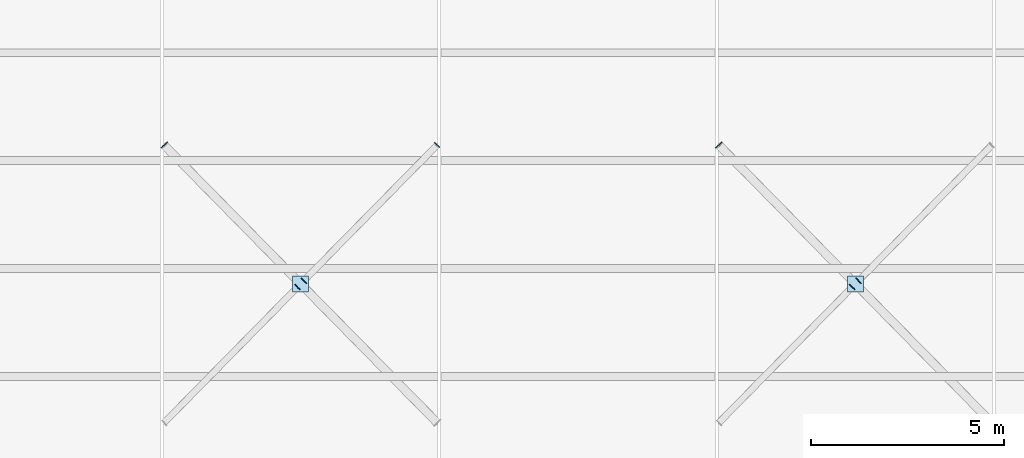
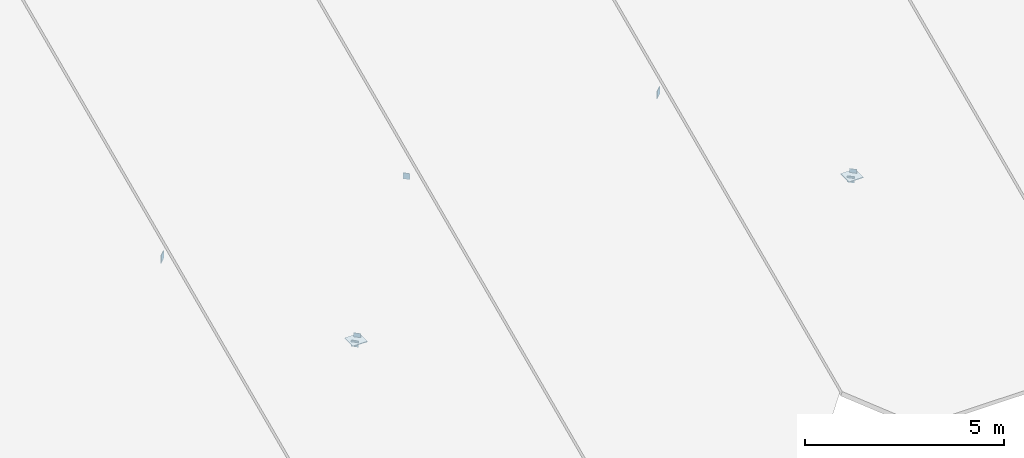
# One storey, part 34 of 54: 9 plates.
"""IFC4 building model written with IfcOpenShell, lengths in metres."""

from ifc_helpers import new_model, si_unit, direction, frame, origin, origin_2d, place, context, subcontext, project, spatial, rectangle, extrude, material, layer, layer_set, type_object, element, save


model = new_model("IFC4")

# Units and contexts
model_context = context("Model", 3, precision=1e-05, world=origin(), true_north=direction((0.0, 1.0)))
body_context = subcontext(model_context, "Body", "Model", "MODEL_VIEW")
ifc_project = project(units=[si_unit("LENGTHUNIT", "METRE"), si_unit("AREAUNIT", "SQUARE_METRE"), si_unit("VOLUMEUNIT", "CUBIC_METRE"), si_unit("PLANEANGLEUNIT", "RADIAN"), si_unit("MASSUNIT", "GRAM", prefix="KILO")], contexts=[model_context])

# Site, building, storey
site_placement = place(None, origin())
site = spatial("IfcSite", under=ifc_project, at=site_placement, CompositionType="ELEMENT")
building_placement = place(site_placement, origin())
building = spatial("IfcBuilding", under=site, at=building_placement, Name="Koriwan Promenade Central Fire Station", CompositionType="ELEMENT")
storey_placement = place(building_placement, frame((0.0, 0.0, 9.60009765625)))
storey = spatial("IfcBuildingStorey", under=building, at=storey_placement, Name="L02", CompositionType="ELEMENT", Elevation=9.60009765625)

# Plates
ifc_material = material(Name="Steel ASTM A572 Grade 50", Category="steel")
ifc_layer_1 = layer(ifc_material, 0.01611328125, Name="Steel ASTM A572 Grade 50")
ifc_layer_set_1 = layer_set([ifc_layer_1], Name="Steel ASTM A572 Grade 50")
plate_type_1 = type_object("IfcPlateType", Name="EndCap_CHS168", PredefinedType="SHEET", material=ifc_layer_set_1)
for number, where, z_axis, x_axis, name in (
    (1, (68.318359375, 50.31689453125, 2.450439453125), (0.0, 0.0, 1.0), (0.701158192968, 0.713005742217, 0.0), "V1 roof wind brace 2A south half end cap 2"),
    (2, (68.481689453125, 50.48291015625, 2.524169921875), (0.0, 0.0, 1.0), (0.701158192968, 0.713005742217, 0.0), "V1 roof wind brace 2A north half end cap 1"),
    (3, (71.9453125, 54.00537109375, 4.08984375), (0.0, 0.0, 1.0), (0.701158192968, 0.713005742217, 0.0), "V1 roof wind brace 2A north half end cap 2"),
    (4, (82.718505859375, 50.31689453125, 2.450439453125), (0.0, 0.0, 1.0), (0.701158192968, 0.713005742217, 0.0), "V1 roof wind brace 4A south half end cap 2"),
    (5, (82.881591796875, 50.48291015625, 2.524169921875), (0.0, 0.0, 1.0), (0.701158192968, 0.713005742217, 0.0), "V1 roof wind brace 4A north half end cap 1"),
):
    element("IfcPlate", number, at=place(storey_placement, frame(where, z_axis=z_axis, x_axis=x_axis)), inside=storey, type_object=plate_type_1, Name=name, PredefinedType="SHEET", context=body_context, shape_type="SweptSolid", body=[
        extrude(rectangle(XDim=0.01611328125, YDim=0.18505859375, at=origin_2d()), origin(), (0.0, 0.0, 1.0), 0.18505859375),
    ])
ifc_layer_2 = layer(ifc_material, 0.01806640625, Name="Steel ASTM A572 Grade 50")
ifc_layer_set_2 = layer_set([ifc_layer_2], Name="Steel ASTM A572 Grade 50")
plate_type_2 = type_object("IfcPlateType", Name="EndCap_CHS219", PredefinedType="SHEET", material=ifc_layer_set_2)
for number, where, z_axis, x_axis, name in (
    (6, (64.85400390625, 54.006103515625, 4.06494140625), (0.0, 0.0, 1.0), (0.701158192968, -0.713005742217, 0.0), "V1 roof wind brace 2B end cap 1"),
    (7, (79.25390625, 54.006103515625, 4.06494140625), (0.0, 0.0, 1.0), (0.701158192968, -0.713005742217, 0.0), "V1 roof wind brace 4B end cap 1"),
):
    element("IfcPlate", number, at=place(storey_placement, frame(where, z_axis=z_axis, x_axis=x_axis)), inside=storey, type_object=plate_type_2, Name=name, PredefinedType="SHEET", context=body_context, shape_type="SweptSolid", body=[
        extrude(rectangle(XDim=0.01806640625, YDim=0.235107421875, at=origin_2d()), origin(), (0.0, 0.0, 1.0), 0.235107421875),
    ])
ifc_layer_3 = layer(ifc_material, 0.02197265625, Name="Steel ASTM A572 Grade 50")
ifc_layer_set_3 = layer_set([ifc_layer_3], Name="Steel ASTM A572 Grade 50")
plate_type_3 = type_object("IfcPlateType", Name="NodeGusset_XBrace", PredefinedType="SHEET", material=ifc_layer_set_3)
for number, where, z_axis, x_axis, name in (
    (8, (68.39990234375, 50.39990234375, 2.56884765625), (0.0, 0.0, 1.0), (1.0, 0.0, 0.0), "V1 roof X-brace crossing gusset 2 XB-G1"),
    (9, (82.800048828125, 50.39990234375, 2.56884765625), (0.0, 0.0, 1.0), (1.0, 0.0, 0.0), "V1 roof X-brace crossing gusset 4 XB-G1"),
):
    element("IfcPlate", number, at=place(storey_placement, frame(where, z_axis=z_axis, x_axis=x_axis)), inside=storey, type_object=plate_type_3, Name=name, PredefinedType="SHEET", context=body_context, shape_type="SweptSolid", body=[
        extrude(rectangle(XDim=0.419921875, YDim=0.419921875, at=origin_2d()), origin(), (0.0, 0.0, 1.0), 0.02197265625),
    ])

save(model, "model.ifc")
